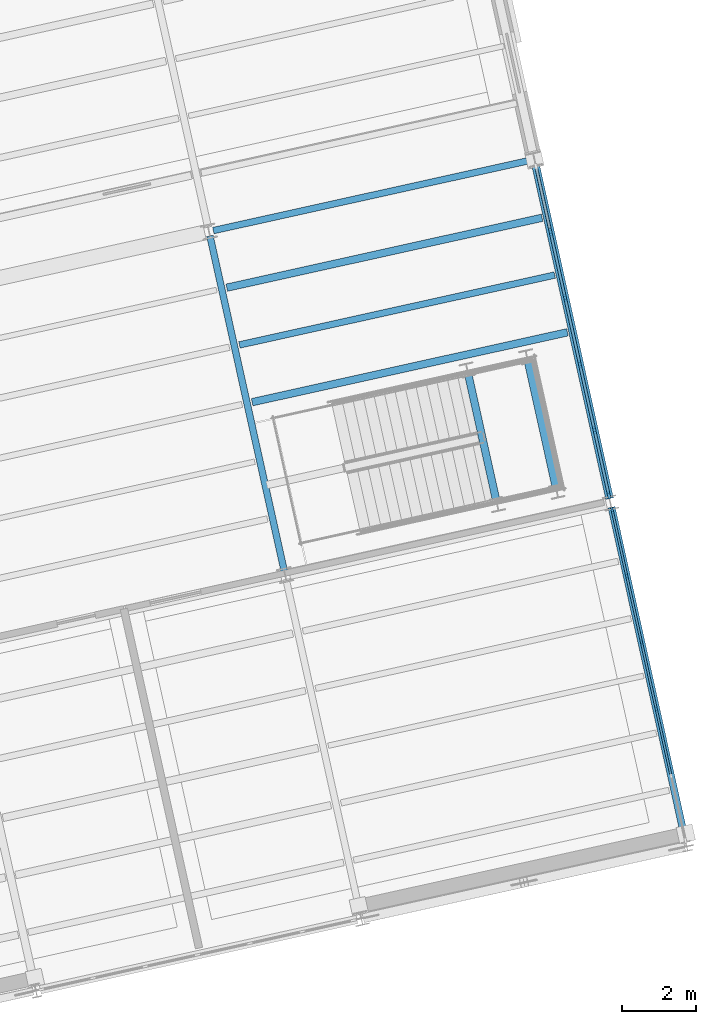
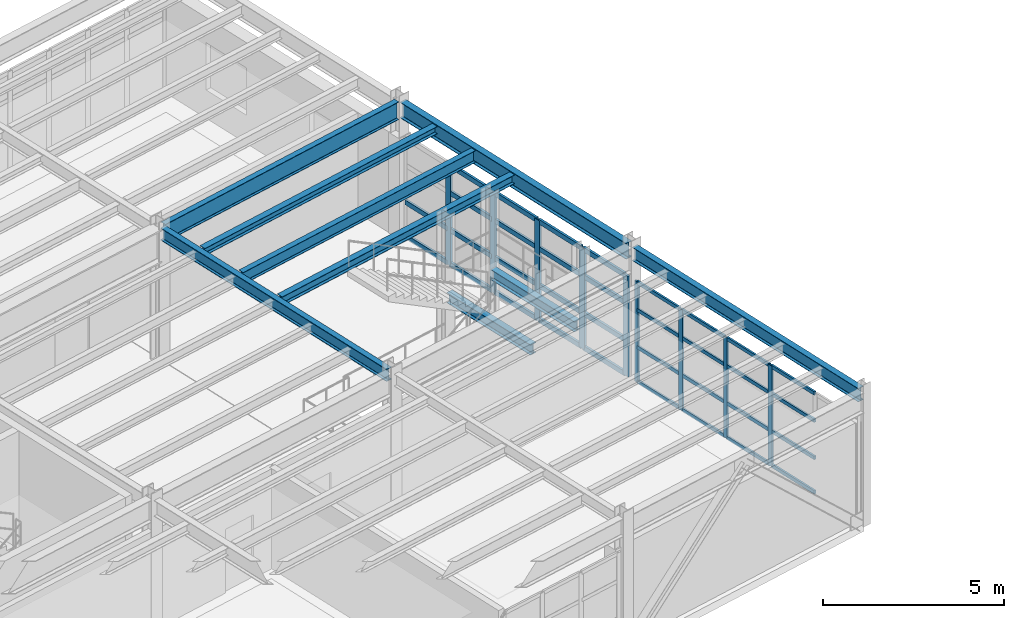
# One storey, part 61 of 109: 43 members, 9 beams, 2 elements without a shape of their own.
"""IFC4 building model written with IfcOpenShell, lengths in metres."""

from ifc_helpers import new_model, si_unit, direction, frame, origin, origin_2d, place, context, subcontext, project, spatial, rectangle, i_section, extrude, material, layer, layer_set, material_profile, profile_set, type_object, element, aggregate, save


model = new_model("IFC4")

# Units and contexts
model_context = context("Model", 3, precision=1e-05, world=origin(), true_north=direction((0.0, 1.0)))
body_context = subcontext(model_context, "Body", "Model", "MODEL_VIEW")
ifc_project = project(units=[si_unit("LENGTHUNIT", "METRE"), si_unit("AREAUNIT", "SQUARE_METRE"), si_unit("VOLUMEUNIT", "CUBIC_METRE"), si_unit("PLANEANGLEUNIT", "RADIAN"), si_unit("MASSUNIT", "GRAM", prefix="KILO")], contexts=[model_context])

# Site, building, storey
site_placement = place(None, origin())
site = spatial("IfcSite", under=ifc_project, at=site_placement, CompositionType="ELEMENT")
building_placement = place(site_placement, origin())
building = spatial("IfcBuilding", under=site, at=building_placement, Name="Vireo Bluff Cable Station", CompositionType="ELEMENT")
storey_placement = place(building_placement, frame((0.0, 0.0, 4.800048828125)))
storey = spatial("IfcBuildingStorey", under=building, at=storey_placement, Name="L01", CompositionType="ELEMENT", Elevation=4.800048828125)

# Beams
ifc_material_1 = material(Name="Steel ASTM A992 Gr. 50", Category="steel")
ifc_material_profile_1 = material_profile(ifc_material_1, i_section(OverallWidth=0.2041015625, OverallDepth=0.35009765625, WebThickness=0.008544921875, FlangeThickness=0.01513671875, FilletRadius=0.010009765625, at=origin_2d()), Name="W14X48")
ifc_profile_set_1 = profile_set([ifc_material_profile_1], Name="Steel ASTM A992 Gr. 50")
beam_type_1 = type_object("IfcBeamType", Name="BM-W14X48", PredefinedType="BEAM", material=ifc_profile_set_1)
beam_1_placement = place(storey_placement, frame((155.9970703125, 91.159423828125, 2.02490234375), z_axis=(-0.216464522971, 0.976290484587, 0.0), x_axis=(-0.976290484587, -0.216464522971, 0.0)))
element("IfcBeam", 1, at=beam_1_placement, inside=storey, type_object=beam_type_1, Name="ST-09 L01 landing header beam N", PredefinedType="BEAM", context=body_context, shape_type="SweptSolid", body=[
    extrude(i_section(OverallWidth=0.2041015625, OverallDepth=0.35009765625, WebThickness=0.008544921875, FlangeThickness=0.01513671875, FilletRadius=0.010009765625, at=origin_2d()), origin(), (0.0, 0.0, 1.0), 3.43994140625),
])
beam_2_placement = place(storey_placement, frame((157.60791015625, 91.516357421875, 2.02490234375), z_axis=(-0.216381881536, 0.976308804294, 0.0), x_axis=(-0.976308804294, -0.216381881536, 0.0)))
element("IfcBeam", 2, at=beam_2_placement, inside=storey, type_object=beam_type_1, Name="ST-09 L01 landing header beam F", PredefinedType="BEAM", context=body_context, shape_type="SweptSolid", body=[
    extrude(i_section(OverallWidth=0.2041015625, OverallDepth=0.35009765625, WebThickness=0.008544921875, FlangeThickness=0.01513671875, FilletRadius=0.010009765625, at=origin_2d()), origin(), (0.0, 0.0, 1.0), 3.440185546875),
])
ifc_material_profile_2 = material_profile(ifc_material_1, i_section(OverallWidth=0.180908203125, OverallDepth=0.4169921875, WebThickness=0.010986328125, FlangeThickness=0.018310546875, FilletRadius=0.010009765625, at=origin_2d()), Name="W16X57")
ifc_profile_set_2 = profile_set([ifc_material_profile_2], Name="Steel ASTM A992 Gr. 50")
beam_type_2 = type_object("IfcBeamType", Name="BM-W16X57", PredefinedType="BEAM", material=ifc_profile_set_2)
beam_3_placement = place(storey_placement, frame((150.27783203125, 89.23583984375, 4.33154296875), z_axis=(-0.216430734067, 0.976297975698, 0.0), x_axis=(-0.976297975698, -0.216430734067, 0.0)))
element("IfcBeam", 3, at=beam_3_placement, inside=storey, type_object=beam_type_2, Name="V2 L01 beam 466", PredefinedType="BEAM", context=body_context, shape_type="SweptSolid", body=[
    extrude(i_section(OverallWidth=0.180908203125, OverallDepth=0.4169921875, WebThickness=0.010986328125, FlangeThickness=0.018310546875, FilletRadius=0.010009765625, at=origin_2d()), origin(), (0.0, 0.0, 1.0), 9.260009765625),
])

# Curtain wall, members
ifc_material_2 = material(Name="Anodized Aluminium 6063-T6", Category="aluminium")
ifc_layer_1 = layer(ifc_material_2, 0.159912109375, Name="Anodized Aluminium 6063-T6")
ifc_layer_set_1 = layer_set([ifc_layer_1], Name="Anodized Aluminium 6063-T6")
curtain_wall_type_1 = type_object("IfcCurtainWallType", Name="CW-STICK-1850", PredefinedType="USERDEFINED", material=ifc_layer_set_1)
curtain_wall_1_placement = place(storey_placement, origin())
curtain_wall_1 = element("IfcCurtainWall", 4, at=curtain_wall_1_placement, inside=storey, type_object=curtain_wall_type_1, Name="V2 L01 east curtain wall CW-049", ObjectType="STICK CURTAIN WALL", PredefinedType="USERDEFINED")
ifc_material_profile_3 = material_profile(ifc_material_2, rectangle(XDim=0.074951171875, YDim=0.2099609375, at=origin_2d()), Name="ALU-M-75X210")
ifc_profile_set_3 = profile_set([ifc_material_profile_3], Name="Anodized Aluminium 6063-T6")
member_type_1 = type_object("IfcMemberType", Name="CWM-02", PredefinedType="MULLION", material=ifc_profile_set_3)
member_1_placement = place(storey_placement, frame((157.46923828125, 98.3798828125, 0.0), z_axis=(0.0, 0.0, 1.0), x_axis=(0.976296012711, 0.21643958872, 0.0)))
member_1 = element("IfcMember", 5, at=member_1_placement, type_object=member_type_1, Name="CW-049 mullion 2", PredefinedType="MULLION", context=body_context, shape_type="SweptSolid", body=[
    extrude(rectangle(XDim=0.074951171875, YDim=0.2099609375, at=origin_2d()), origin(), (0.0, 0.0, 1.0), 3.39990234375),
])
member_2_placement = place(storey_placement, frame((157.86474609375, 96.595947265625, 0.0), z_axis=(0.0, 0.0, 1.0), x_axis=(0.976296012711, 0.21643958872, 0.0)))
member_2 = element("IfcMember", 6, at=member_2_placement, type_object=member_type_1, Name="CW-049 mullion 3", PredefinedType="MULLION", context=body_context, shape_type="SweptSolid", body=[
    extrude(rectangle(XDim=0.074951171875, YDim=0.2099609375, at=origin_2d()), origin(), (0.0, 0.0, 1.0), 3.39990234375),
])
member_3_placement = place(storey_placement, frame((158.260009765625, 94.81201171875, 0.0), z_axis=(0.0, 0.0, 1.0), x_axis=(0.976296012711, 0.21643958872, 0.0)))
member_3 = element("IfcMember", 7, at=member_3_placement, type_object=member_type_1, Name="CW-049 mullion 4", PredefinedType="MULLION", context=body_context, shape_type="SweptSolid", body=[
    extrude(rectangle(XDim=0.074951171875, YDim=0.2099609375, at=origin_2d()), origin(), (0.0, 0.0, 1.0), 3.39990234375),
])
member_4_placement = place(storey_placement, frame((158.655517578125, 93.0283203125, 0.0), z_axis=(0.0, 0.0, 1.0), x_axis=(0.976296012711, 0.21643958872, 0.0)))
member_4 = element("IfcMember", 8, at=member_4_placement, type_object=member_type_1, Name="CW-049 mullion 5", PredefinedType="MULLION", context=body_context, shape_type="SweptSolid", body=[
    extrude(rectangle(XDim=0.074951171875, YDim=0.2099609375, at=origin_2d()), origin(), (0.0, 0.0, 1.0), 3.39990234375),
])
member_5_placement = place(storey_placement, frame((159.04296875, 91.281005859375, 0.0), z_axis=(0.0, 0.0, 1.0), x_axis=(0.976296012711, 0.21643958872, 0.0)))
member_5 = element("IfcMember", 9, at=member_5_placement, type_object=member_type_1, Name="CW-049 mullion 6", PredefinedType="MULLION", context=body_context, shape_type="SweptSolid", body=[
    extrude(rectangle(XDim=0.074951171875, YDim=0.2099609375, at=origin_2d()), origin(), (0.0, 0.0, 1.0), 3.39990234375),
])

ifc_layer_2 = layer(ifc_material_2, 0.159912109375, Name="Anodized Aluminium 6063-T6")
ifc_layer_set_2 = layer_set([ifc_layer_2], Name="Anodized Aluminium 6063-T6")
curtain_wall_type_2 = type_object("IfcCurtainWallType", Name="CW-STICK-1750", PredefinedType="USERDEFINED", material=ifc_layer_set_2)
curtain_wall_2_placement = place(storey_placement, origin())
curtain_wall_2 = element("IfcCurtainWall", 10, at=curtain_wall_2_placement, inside=storey, type_object=curtain_wall_type_2, Name="V2 L01 east curtain wall CW-050", ObjectType="STICK CURTAIN WALL", PredefinedType="USERDEFINED")
ifc_material_profile_4 = material_profile(ifc_material_2, rectangle(XDim=0.06005859375, YDim=0.159912109375, at=origin_2d()), Name="ALU-M-60X160")
ifc_profile_set_4 = profile_set([ifc_material_profile_4], Name="Anodized Aluminium 6063-T6")
member_type_2 = type_object("IfcMemberType", Name="CWM-03", PredefinedType="MULLION", material=ifc_profile_set_4)
member_6_placement = place(storey_placement, frame((159.136474609375, 90.859619140625, 0.0), z_axis=(0.0, 0.0, 1.0), x_axis=(0.97629600746, 0.216439612405, 0.0)))
member_6 = element("IfcMember", 11, at=member_6_placement, type_object=member_type_2, Name="CW-050 mullion 1", PredefinedType="MULLION", context=body_context, shape_type="SweptSolid", body=[
    extrude(rectangle(XDim=0.06005859375, YDim=0.159912109375, at=origin_2d()), origin(), (0.0, 0.0, 1.0), 3.39990234375),
])
member_7_placement = place(storey_placement, frame((159.527587890625, 89.094970703125, 0.0), z_axis=(0.0, 0.0, 1.0), x_axis=(0.97629600746, 0.216439612405, 0.0)))
member_7 = element("IfcMember", 12, at=member_7_placement, type_object=member_type_2, Name="CW-050 mullion 2", PredefinedType="MULLION", context=body_context, shape_type="SweptSolid", body=[
    extrude(rectangle(XDim=0.06005859375, YDim=0.159912109375, at=origin_2d()), origin(), (0.0, 0.0, 1.0), 3.39990234375),
])
member_8_placement = place(storey_placement, frame((159.92529296875, 87.30078125, 0.0), z_axis=(0.0, 0.0, 1.0), x_axis=(0.97629600746, 0.216439612405, 0.0)))
member_8 = element("IfcMember", 13, at=member_8_placement, type_object=member_type_2, Name="CW-050 mullion 3", PredefinedType="MULLION", context=body_context, shape_type="SweptSolid", body=[
    extrude(rectangle(XDim=0.06005859375, YDim=0.159912109375, at=origin_2d()), origin(), (0.0, 0.0, 1.0), 3.39990234375),
])
member_9_placement = place(storey_placement, frame((160.322998046875, 85.5068359375, 0.0), z_axis=(0.0, 0.0, 1.0), x_axis=(0.97629600746, 0.216439612405, 0.0)))
member_9 = element("IfcMember", 14, at=member_9_placement, type_object=member_type_2, Name="CW-050 mullion 4", PredefinedType="MULLION", context=body_context, shape_type="SweptSolid", body=[
    extrude(rectangle(XDim=0.06005859375, YDim=0.159912109375, at=origin_2d()), origin(), (0.0, 0.0, 1.0), 3.39990234375),
])

# Member
ifc_material_profile_5 = material_profile(ifc_material_2, rectangle(XDim=0.074951171875, YDim=0.159912109375, at=origin_2d()), Name="ALU-T-75X160")
ifc_profile_set_5 = profile_set([ifc_material_profile_5], Name="Anodized Aluminium 6063-T6")
member_type_3 = type_object("IfcMemberType", Name="CWT-02", PredefinedType="USERDEFINED", material=ifc_profile_set_5)
member_10_placement = place(storey_placement, frame((157.08984375, 100.090576171875, 0.037353515625), z_axis=(0.216417859301, -0.976300829753, 0.0), x_axis=(0.976300829753, 0.216417859301, 0.0)))
member_10 = element("IfcMember", 15, at=member_10_placement, type_object=member_type_3, Name="CW-049 transom 1.1", ObjectType="TRANSOM", PredefinedType="USERDEFINED", context=body_context, shape_type="SweptSolid", body=[
    extrude(rectangle(XDim=0.074951171875, YDim=0.159912109375, at=origin_2d()), origin(), (0.0, 0.0, 1.0), 1.714599609375),
])

member_11_placement = place(storey_placement, frame((157.08984375, 100.090576171875, 1.18994140625), z_axis=(0.216417859301, -0.976300829753, 0.0), x_axis=(0.976300829753, 0.216417859301, 0.0)))
member_11 = element("IfcMember", 16, at=member_11_placement, type_object=member_type_3, Name="CW-049 transom 1.2", ObjectType="TRANSOM", PredefinedType="USERDEFINED", context=body_context, shape_type="SweptSolid", body=[
    extrude(rectangle(XDim=0.074951171875, YDim=0.159912109375, at=origin_2d()), origin(), (0.0, 0.0, 1.0), 1.714599609375),
])

member_12_placement = place(storey_placement, frame((157.477294921875, 98.34326171875, 0.037353515625), z_axis=(0.216384565336, -0.976308209473, 0.0), x_axis=(0.976308209473, 0.216384565336, 0.0)))
member_12 = element("IfcMember", 17, at=member_12_placement, type_object=member_type_3, Name="CW-049 transom 2.1", ObjectType="TRANSOM", PredefinedType="USERDEFINED", context=body_context, shape_type="SweptSolid", body=[
    extrude(rectangle(XDim=0.074951171875, YDim=0.159912109375, at=origin_2d()), origin(), (0.0, 0.0, 1.0), 1.752197265625),
])

member_13_placement = place(storey_placement, frame((157.477294921875, 98.34326171875, 1.18994140625), z_axis=(0.216384565336, -0.976308209473, 0.0), x_axis=(0.976308209473, 0.216384565336, 0.0)))
member_13 = element("IfcMember", 18, at=member_13_placement, type_object=member_type_3, Name="CW-049 transom 2.2", ObjectType="TRANSOM", PredefinedType="USERDEFINED", context=body_context, shape_type="SweptSolid", body=[
    extrude(rectangle(XDim=0.074951171875, YDim=0.159912109375, at=origin_2d()), origin(), (0.0, 0.0, 1.0), 1.752197265625),
])

member_14_placement = place(storey_placement, frame((157.477294921875, 98.34326171875, 2.447998046875), z_axis=(0.216384565336, -0.976308209473, 0.0), x_axis=(0.976308209473, 0.216384565336, 0.0)))
member_14 = element("IfcMember", 19, at=member_14_placement, type_object=member_type_3, Name="CW-049 transom 2.3", ObjectType="TRANSOM", PredefinedType="USERDEFINED", context=body_context, shape_type="SweptSolid", body=[
    extrude(rectangle(XDim=0.074951171875, YDim=0.159912109375, at=origin_2d()), origin(), (0.0, 0.0, 1.0), 1.752197265625),
])

member_15_placement = place(storey_placement, frame((157.477294921875, 98.34326171875, 3.362548828125), z_axis=(0.216384565336, -0.976308209473, 0.0), x_axis=(0.976308209473, 0.216384565336, 0.0)))
member_15 = element("IfcMember", 20, at=member_15_placement, type_object=member_type_3, Name="CW-049 transom 2.4", ObjectType="TRANSOM", PredefinedType="USERDEFINED", context=body_context, shape_type="SweptSolid", body=[
    extrude(rectangle(XDim=0.074951171875, YDim=0.159912109375, at=origin_2d()), origin(), (0.0, 0.0, 1.0), 1.752197265625),
])

member_16_placement = place(storey_placement, frame((157.872802734375, 96.559326171875, 0.037353515625), z_axis=(0.216384565336, -0.976308209473, 0.0), x_axis=(0.976308209473, 0.216384565336, 0.0)))
member_16 = element("IfcMember", 21, at=member_16_placement, type_object=member_type_3, Name="CW-049 transom 3.1", ObjectType="TRANSOM", PredefinedType="USERDEFINED", context=body_context, shape_type="SweptSolid", body=[
    extrude(rectangle(XDim=0.074951171875, YDim=0.159912109375, at=origin_2d()), origin(), (0.0, 0.0, 1.0), 1.752197265625),
])

member_17_placement = place(storey_placement, frame((157.872802734375, 96.559326171875, 1.18994140625), z_axis=(0.216384565336, -0.976308209473, 0.0), x_axis=(0.976308209473, 0.216384565336, 0.0)))
member_17 = element("IfcMember", 22, at=member_17_placement, type_object=member_type_3, Name="CW-049 transom 3.2", ObjectType="TRANSOM", PredefinedType="USERDEFINED", context=body_context, shape_type="SweptSolid", body=[
    extrude(rectangle(XDim=0.074951171875, YDim=0.159912109375, at=origin_2d()), origin(), (0.0, 0.0, 1.0), 1.752197265625),
])

member_18_placement = place(storey_placement, frame((157.872802734375, 96.559326171875, 2.447998046875), z_axis=(0.216384565336, -0.976308209473, 0.0), x_axis=(0.976308209473, 0.216384565336, 0.0)))
member_18 = element("IfcMember", 23, at=member_18_placement, type_object=member_type_3, Name="CW-049 transom 3.3", ObjectType="TRANSOM", PredefinedType="USERDEFINED", context=body_context, shape_type="SweptSolid", body=[
    extrude(rectangle(XDim=0.074951171875, YDim=0.159912109375, at=origin_2d()), origin(), (0.0, 0.0, 1.0), 1.752197265625),
])

member_19_placement = place(storey_placement, frame((157.872802734375, 96.559326171875, 3.362548828125), z_axis=(0.216384565336, -0.976308209473, 0.0), x_axis=(0.976308209473, 0.216384565336, 0.0)))
member_19 = element("IfcMember", 24, at=member_19_placement, type_object=member_type_3, Name="CW-049 transom 3.4", ObjectType="TRANSOM", PredefinedType="USERDEFINED", context=body_context, shape_type="SweptSolid", body=[
    extrude(rectangle(XDim=0.074951171875, YDim=0.159912109375, at=origin_2d()), origin(), (0.0, 0.0, 1.0), 1.752197265625),
])

member_20_placement = place(storey_placement, frame((158.268310546875, 94.775390625, 0.037353515625), z_axis=(0.216414004514, -0.97630168424, 0.0), x_axis=(0.97630168424, 0.216414004514, 0.0)))
member_20 = element("IfcMember", 25, at=member_20_placement, type_object=member_type_3, Name="CW-049 transom 4.1", ObjectType="TRANSOM", PredefinedType="USERDEFINED", context=body_context, shape_type="SweptSolid", body=[
    extrude(rectangle(XDim=0.074951171875, YDim=0.159912109375, at=origin_2d()), origin(), (0.0, 0.0, 1.0), 1.751953125),
])

member_21_placement = place(storey_placement, frame((158.268310546875, 94.775390625, 1.18994140625), z_axis=(0.216414004514, -0.97630168424, 0.0), x_axis=(0.97630168424, 0.216414004514, 0.0)))
member_21 = element("IfcMember", 26, at=member_21_placement, type_object=member_type_3, Name="CW-049 transom 4.2", ObjectType="TRANSOM", PredefinedType="USERDEFINED", context=body_context, shape_type="SweptSolid", body=[
    extrude(rectangle(XDim=0.074951171875, YDim=0.159912109375, at=origin_2d()), origin(), (0.0, 0.0, 1.0), 1.751953125),
])

member_22_placement = place(storey_placement, frame((158.268310546875, 94.775390625, 2.447998046875), z_axis=(0.216414004514, -0.97630168424, 0.0), x_axis=(0.97630168424, 0.216414004514, 0.0)))
member_22 = element("IfcMember", 27, at=member_22_placement, type_object=member_type_3, Name="CW-049 transom 4.3", ObjectType="TRANSOM", PredefinedType="USERDEFINED", context=body_context, shape_type="SweptSolid", body=[
    extrude(rectangle(XDim=0.074951171875, YDim=0.159912109375, at=origin_2d()), origin(), (0.0, 0.0, 1.0), 1.751953125),
])

member_23_placement = place(storey_placement, frame((158.268310546875, 94.775390625, 3.362548828125), z_axis=(0.216414004514, -0.97630168424, 0.0), x_axis=(0.97630168424, 0.216414004514, 0.0)))
member_23 = element("IfcMember", 28, at=member_23_placement, type_object=member_type_3, Name="CW-049 transom 4.4", ObjectType="TRANSOM", PredefinedType="USERDEFINED", context=body_context, shape_type="SweptSolid", body=[
    extrude(rectangle(XDim=0.074951171875, YDim=0.159912109375, at=origin_2d()), origin(), (0.0, 0.0, 1.0), 1.751953125),
])

member_24_placement = place(storey_placement, frame((158.663818359375, 92.99169921875, 0.037353515625), z_axis=(0.216417859301, -0.976300829753, 0.0), x_axis=(0.976300829753, 0.216417859301, 0.0)))
member_24 = element("IfcMember", 29, at=member_24_placement, type_object=member_type_3, Name="CW-049 transom 5.1", ObjectType="TRANSOM", PredefinedType="USERDEFINED", context=body_context, shape_type="SweptSolid", body=[
    extrude(rectangle(XDim=0.074951171875, YDim=0.159912109375, at=origin_2d()), origin(), (0.0, 0.0, 1.0), 1.714599609375),
])

member_25_placement = place(storey_placement, frame((158.663818359375, 92.99169921875, 1.18994140625), z_axis=(0.216417859301, -0.976300829753, 0.0), x_axis=(0.976300829753, 0.216417859301, 0.0)))
member_25 = element("IfcMember", 30, at=member_25_placement, type_object=member_type_3, Name="CW-049 transom 5.2", ObjectType="TRANSOM", PredefinedType="USERDEFINED", context=body_context, shape_type="SweptSolid", body=[
    extrude(rectangle(XDim=0.074951171875, YDim=0.159912109375, at=origin_2d()), origin(), (0.0, 0.0, 1.0), 1.714599609375),
])

member_26_placement = place(storey_placement, frame((158.663818359375, 92.99169921875, 2.447998046875), z_axis=(0.216417859301, -0.976300829753, 0.0), x_axis=(0.976300829753, 0.216417859301, 0.0)))
member_26 = element("IfcMember", 31, at=member_26_placement, type_object=member_type_3, Name="CW-049 transom 5.3", ObjectType="TRANSOM", PredefinedType="USERDEFINED", context=body_context, shape_type="SweptSolid", body=[
    extrude(rectangle(XDim=0.074951171875, YDim=0.159912109375, at=origin_2d()), origin(), (0.0, 0.0, 1.0), 1.714599609375),
])

member_27_placement = place(storey_placement, frame((158.663818359375, 92.99169921875, 3.362548828125), z_axis=(0.216417859301, -0.976300829753, 0.0), x_axis=(0.976300829753, 0.216417859301, 0.0)))
member_27 = element("IfcMember", 32, at=member_27_placement, type_object=member_type_3, Name="CW-049 transom 5.4", ObjectType="TRANSOM", PredefinedType="USERDEFINED", context=body_context, shape_type="SweptSolid", body=[
    extrude(rectangle(XDim=0.074951171875, YDim=0.159912109375, at=origin_2d()), origin(), (0.0, 0.0, 1.0), 1.714599609375),
])

aggregate(curtain_wall_1, [member_1, member_2, member_3, member_4, member_5, member_10, member_11, member_12, member_13, member_14, member_15, member_16, member_17, member_18, member_19, member_20, member_21, member_22, member_23, member_24, member_25, member_26, member_27])

ifc_material_profile_6 = material_profile(ifc_material_2, rectangle(XDim=0.06005859375, YDim=0.1201171875, at=origin_2d()), Name="ALU-T-60X120")
ifc_profile_set_6 = profile_set([ifc_material_profile_6], Name="Anodized Aluminium 6063-T6")
member_type_4 = type_object("IfcMemberType", Name="CWT-03", PredefinedType="USERDEFINED", material=ifc_profile_set_6)
member_28_placement = place(storey_placement, frame((159.142822265625, 90.830322265625, 0.030029296875), z_axis=(0.216412673976, -0.976301979176, 0.0), x_axis=(0.976301979176, 0.216412673976, 0.0)))
member_28 = element("IfcMember", 33, at=member_28_placement, type_object=member_type_4, Name="CW-050 transom 1.1", ObjectType="TRANSOM", PredefinedType="USERDEFINED", context=body_context, shape_type="SweptSolid", body=[
    extrude(rectangle(XDim=0.06005859375, YDim=0.1201171875, at=origin_2d()), origin(), (0.0, 0.0, 1.0), 1.74755859375),
])

member_29_placement = place(storey_placement, frame((159.142822265625, 90.830322265625, 1.18994140625), z_axis=(0.216412673976, -0.976301979176, 0.0), x_axis=(0.976301979176, 0.216412673976, 0.0)))
member_29 = element("IfcMember", 34, at=member_29_placement, type_object=member_type_4, Name="CW-050 transom 1.2", ObjectType="TRANSOM", PredefinedType="USERDEFINED", context=body_context, shape_type="SweptSolid", body=[
    extrude(rectangle(XDim=0.06005859375, YDim=0.1201171875, at=origin_2d()), origin(), (0.0, 0.0, 1.0), 1.74755859375),
])

member_30_placement = place(storey_placement, frame((159.142822265625, 90.830322265625, 2.447998046875), z_axis=(0.216412673976, -0.976301979176, 0.0), x_axis=(0.976301979176, 0.216412673976, 0.0)))
member_30 = element("IfcMember", 35, at=member_30_placement, type_object=member_type_4, Name="CW-050 transom 1.3", ObjectType="TRANSOM", PredefinedType="USERDEFINED", context=body_context, shape_type="SweptSolid", body=[
    extrude(rectangle(XDim=0.06005859375, YDim=0.1201171875, at=origin_2d()), origin(), (0.0, 0.0, 1.0), 1.74755859375),
])

member_31_placement = place(storey_placement, frame((159.142822265625, 90.830322265625, 3.369873046875), z_axis=(0.216412673976, -0.976301979176, 0.0), x_axis=(0.976301979176, 0.216412673976, 0.0)))
member_31 = element("IfcMember", 36, at=member_31_placement, type_object=member_type_4, Name="CW-050 transom 1.4", ObjectType="TRANSOM", PredefinedType="USERDEFINED", context=body_context, shape_type="SweptSolid", body=[
    extrude(rectangle(XDim=0.06005859375, YDim=0.1201171875, at=origin_2d()), origin(), (0.0, 0.0, 1.0), 1.74755859375),
])

member_32_placement = place(storey_placement, frame((159.5341796875, 89.065673828125, 0.030029296875), z_axis=(0.216436032968, -0.976296800995, 0.0), x_axis=(0.976296800995, 0.216436032968, 0.0)))
member_32 = element("IfcMember", 37, at=member_32_placement, type_object=member_type_4, Name="CW-050 transom 2.1", ObjectType="TRANSOM", PredefinedType="USERDEFINED", context=body_context, shape_type="SweptSolid", body=[
    extrude(rectangle(XDim=0.06005859375, YDim=0.1201171875, at=origin_2d()), origin(), (0.0, 0.0, 1.0), 1.77783203125),
])

member_33_placement = place(storey_placement, frame((159.5341796875, 89.065673828125, 1.18994140625), z_axis=(0.216436032968, -0.976296800995, 0.0), x_axis=(0.976296800995, 0.216436032968, 0.0)))
member_33 = element("IfcMember", 38, at=member_33_placement, type_object=member_type_4, Name="CW-050 transom 2.2", ObjectType="TRANSOM", PredefinedType="USERDEFINED", context=body_context, shape_type="SweptSolid", body=[
    extrude(rectangle(XDim=0.06005859375, YDim=0.1201171875, at=origin_2d()), origin(), (0.0, 0.0, 1.0), 1.77783203125),
])

member_34_placement = place(storey_placement, frame((159.5341796875, 89.065673828125, 2.447998046875), z_axis=(0.216436032968, -0.976296800995, 0.0), x_axis=(0.976296800995, 0.216436032968, 0.0)))
member_34 = element("IfcMember", 39, at=member_34_placement, type_object=member_type_4, Name="CW-050 transom 2.3", ObjectType="TRANSOM", PredefinedType="USERDEFINED", context=body_context, shape_type="SweptSolid", body=[
    extrude(rectangle(XDim=0.06005859375, YDim=0.1201171875, at=origin_2d()), origin(), (0.0, 0.0, 1.0), 1.77783203125),
])

member_35_placement = place(storey_placement, frame((159.5341796875, 89.065673828125, 3.369873046875), z_axis=(0.216436032968, -0.976296800995, 0.0), x_axis=(0.976296800995, 0.216436032968, 0.0)))
member_35 = element("IfcMember", 40, at=member_35_placement, type_object=member_type_4, Name="CW-050 transom 2.4", ObjectType="TRANSOM", PredefinedType="USERDEFINED", context=body_context, shape_type="SweptSolid", body=[
    extrude(rectangle(XDim=0.06005859375, YDim=0.1201171875, at=origin_2d()), origin(), (0.0, 0.0, 1.0), 1.77783203125),
])

member_36_placement = place(storey_placement, frame((159.931884765625, 87.271484375, 0.030029296875), z_axis=(0.21646505592, -0.976290366421, 0.0), x_axis=(0.976290366421, 0.21646505592, 0.0)))
member_36 = element("IfcMember", 41, at=member_36_placement, type_object=member_type_4, Name="CW-050 transom 3.1", ObjectType="TRANSOM", PredefinedType="USERDEFINED", context=body_context, shape_type="SweptSolid", body=[
    extrude(rectangle(XDim=0.06005859375, YDim=0.1201171875, at=origin_2d()), origin(), (0.0, 0.0, 1.0), 1.777587890625),
])

member_37_placement = place(storey_placement, frame((159.931884765625, 87.271484375, 1.18994140625), z_axis=(0.21646505592, -0.976290366421, 0.0), x_axis=(0.976290366421, 0.21646505592, 0.0)))
member_37 = element("IfcMember", 42, at=member_37_placement, type_object=member_type_4, Name="CW-050 transom 3.2", ObjectType="TRANSOM", PredefinedType="USERDEFINED", context=body_context, shape_type="SweptSolid", body=[
    extrude(rectangle(XDim=0.06005859375, YDim=0.1201171875, at=origin_2d()), origin(), (0.0, 0.0, 1.0), 1.777587890625),
])

member_38_placement = place(storey_placement, frame((159.931884765625, 87.271484375, 2.447998046875), z_axis=(0.21646505592, -0.976290366421, 0.0), x_axis=(0.976290366421, 0.21646505592, 0.0)))
member_38 = element("IfcMember", 43, at=member_38_placement, type_object=member_type_4, Name="CW-050 transom 3.3", ObjectType="TRANSOM", PredefinedType="USERDEFINED", context=body_context, shape_type="SweptSolid", body=[
    extrude(rectangle(XDim=0.06005859375, YDim=0.1201171875, at=origin_2d()), origin(), (0.0, 0.0, 1.0), 1.777587890625),
])

member_39_placement = place(storey_placement, frame((159.931884765625, 87.271484375, 3.369873046875), z_axis=(0.21646505592, -0.976290366421, 0.0), x_axis=(0.976290366421, 0.21646505592, 0.0)))
member_39 = element("IfcMember", 44, at=member_39_placement, type_object=member_type_4, Name="CW-050 transom 3.4", ObjectType="TRANSOM", PredefinedType="USERDEFINED", context=body_context, shape_type="SweptSolid", body=[
    extrude(rectangle(XDim=0.06005859375, YDim=0.1201171875, at=origin_2d()), origin(), (0.0, 0.0, 1.0), 1.777587890625),
])

member_40_placement = place(storey_placement, frame((160.32958984375, 85.4775390625, 0.030029296875), z_axis=(0.21646505592, -0.976290366421, 0.0), x_axis=(0.976290366421, 0.21646505592, 0.0)))
member_40 = element("IfcMember", 45, at=member_40_placement, type_object=member_type_4, Name="CW-050 transom 4.1", ObjectType="TRANSOM", PredefinedType="USERDEFINED", context=body_context, shape_type="SweptSolid", body=[
    extrude(rectangle(XDim=0.06005859375, YDim=0.1201171875, at=origin_2d()), origin(), (0.0, 0.0, 1.0), 1.777587890625),
])

member_41_placement = place(storey_placement, frame((160.32958984375, 85.4775390625, 1.18994140625), z_axis=(0.21646505592, -0.976290366421, 0.0), x_axis=(0.976290366421, 0.21646505592, 0.0)))
member_41 = element("IfcMember", 46, at=member_41_placement, type_object=member_type_4, Name="CW-050 transom 4.2", ObjectType="TRANSOM", PredefinedType="USERDEFINED", context=body_context, shape_type="SweptSolid", body=[
    extrude(rectangle(XDim=0.06005859375, YDim=0.1201171875, at=origin_2d()), origin(), (0.0, 0.0, 1.0), 1.777587890625),
])

member_42_placement = place(storey_placement, frame((160.32958984375, 85.4775390625, 2.447998046875), z_axis=(0.21646505592, -0.976290366421, 0.0), x_axis=(0.976290366421, 0.21646505592, 0.0)))
member_42 = element("IfcMember", 47, at=member_42_placement, type_object=member_type_4, Name="CW-050 transom 4.3", ObjectType="TRANSOM", PredefinedType="USERDEFINED", context=body_context, shape_type="SweptSolid", body=[
    extrude(rectangle(XDim=0.06005859375, YDim=0.1201171875, at=origin_2d()), origin(), (0.0, 0.0, 1.0), 1.777587890625),
])

member_43_placement = place(storey_placement, frame((160.32958984375, 85.4775390625, 3.369873046875), z_axis=(0.21646505592, -0.976290366421, 0.0), x_axis=(0.976290366421, 0.21646505592, 0.0)))
member_43 = element("IfcMember", 48, at=member_43_placement, type_object=member_type_4, Name="CW-050 transom 4.4", ObjectType="TRANSOM", PredefinedType="USERDEFINED", context=body_context, shape_type="SweptSolid", body=[
    extrude(rectangle(XDim=0.06005859375, YDim=0.1201171875, at=origin_2d()), origin(), (0.0, 0.0, 1.0), 1.777587890625),
])

aggregate(curtain_wall_2, [member_6, member_7, member_8, member_9, member_28, member_29, member_30, member_31, member_32, member_33, member_34, member_35, member_36, member_37, member_38, member_39, member_40, member_41, member_42, member_43])

# Beams
ifc_material_profile_7 = material_profile(ifc_material_1, i_section(OverallWidth=0.178955078125, OverallDepth=0.60302734375, WebThickness=0.010986328125, FlangeThickness=0.014892578125, FilletRadius=0.012939453125, at=origin_2d()), Name="W24X62")
ifc_profile_set_7 = profile_set([ifc_material_profile_7], Name="Steel ASTM A992 Gr. 50")
beam_type_3 = type_object("IfcBeamType", Name="GIR-W24X62", PredefinedType="USERDEFINED", material=ifc_profile_set_7)
beam_4_placement = place(storey_placement, frame((148.36474609375, 98.41943359375, 4.238525390625), z_axis=(0.97629710087, 0.216434680293, 0.0), x_axis=(-0.216434680293, 0.97629710087, 0.0)))
element("IfcBeam", 49, at=beam_4_placement, inside=storey, type_object=beam_type_3, Name="V2 L01 girder 451", ObjectType="GIRDER", PredefinedType="USERDEFINED", context=body_context, shape_type="SweptSolid", body=[
    extrude(i_section(OverallWidth=0.178955078125, OverallDepth=0.60302734375, WebThickness=0.010986328125, FlangeThickness=0.014892578125, FilletRadius=0.012939453125, at=origin_2d()), origin(), (0.0, 0.0, 1.0), 8.760009765625),
])
ifc_material_profile_8 = material_profile(ifc_material_1, i_section(OverallWidth=0.201904296875, OverallDepth=0.2470703125, WebThickness=0.00732421875, FlangeThickness=0.010986328125, FilletRadius=0.009033203125, at=origin_2d()), Name="W10X33")
ifc_profile_set_8 = profile_set([ifc_material_profile_8], Name="Steel ASTM A992 Gr. 50")
beam_type_4 = type_object("IfcBeamType", Name="JST-W10X33", PredefinedType="JOIST", material=ifc_profile_set_8)
beam_5_placement = place(storey_placement, frame((148.72705078125, 96.8779296875, 4.41650390625), z_axis=(0.976293006815, 0.216453146994, 0.0), x_axis=(-0.216453146994, 0.976293006815, 0.0)))
element("IfcBeam", 50, at=beam_5_placement, inside=storey, type_object=beam_type_4, Name="V2 L01 composite joist 518", PredefinedType="JOIST", context=body_context, shape_type="SweptSolid", body=[
    extrude(i_section(OverallWidth=0.201904296875, OverallDepth=0.2470703125, WebThickness=0.00732421875, FlangeThickness=0.010986328125, FilletRadius=0.009033203125, at=origin_2d()), origin(), (0.0, 0.0, 1.0), 8.719970703125),
])
ifc_material_profile_9 = material_profile(ifc_material_1, i_section(OverallWidth=0.202880859375, OverallDepth=0.302978515625, WebThickness=0.007568359375, FlangeThickness=0.01318359375, FilletRadius=0.010009765625, at=origin_2d()), Name="W12X40")
ifc_profile_set_9 = profile_set([ifc_material_profile_9], Name="Steel ASTM A992 Gr. 50")
beam_type_5 = type_object("IfcBeamType", Name="JST-W12X40", PredefinedType="JOIST", material=ifc_profile_set_9)
beam_6_placement = place(storey_placement, frame((149.412353515625, 93.786376953125, 4.388427734375), z_axis=(0.976294318526, 0.216447230551, 0.0), x_axis=(-0.216447230551, 0.976294318526, 0.0)))
element("IfcBeam", 51, at=beam_6_placement, inside=storey, type_object=beam_type_5, Name="V2 L01 composite joist 516", PredefinedType="JOIST", context=body_context, shape_type="SweptSolid", body=[
    extrude(i_section(OverallWidth=0.202880859375, OverallDepth=0.302978515625, WebThickness=0.007568359375, FlangeThickness=0.01318359375, FilletRadius=0.010009765625, at=origin_2d()), origin(), (0.0, 0.0, 1.0), 8.72021484375),
])
ifc_material_profile_10 = material_profile(ifc_material_1, i_section(OverallWidth=0.177978515625, OverallDepth=0.404052734375, WebThickness=0.007568359375, FlangeThickness=0.010986328125, FilletRadius=0.010009765625, at=origin_2d()), Name="W16X36")
ifc_profile_set_10 = profile_set([ifc_material_profile_10], Name="Steel ASTM A992 Gr. 50")
beam_type_6 = type_object("IfcBeamType", Name="JST-W16X36", PredefinedType="JOIST", material=ifc_profile_set_10)
beam_7_placement = place(storey_placement, frame((149.06982421875, 95.332275390625, 4.337890625), z_axis=(0.976298923088, 0.216426460438, 0.0), x_axis=(-0.216426460438, 0.976298923088, 0.0)))
element("IfcBeam", 52, at=beam_7_placement, inside=storey, type_object=beam_type_6, Name="V2 L01 composite joist 517", PredefinedType="JOIST", context=body_context, shape_type="SweptSolid", body=[
    extrude(i_section(OverallWidth=0.177978515625, OverallDepth=0.404052734375, WebThickness=0.007568359375, FlangeThickness=0.010986328125, FilletRadius=0.010009765625, at=origin_2d()), origin(), (0.0, 0.0, 1.0), 8.719970703125),
])
ifc_material_profile_11 = material_profile(ifc_material_1, i_section(OverallWidth=0.19091796875, OverallDepth=0.45703125, WebThickness=0.009033203125, FlangeThickness=0.014404296875, FilletRadius=0.011962890625, at=origin_2d()), Name="W18X50")
ifc_profile_set_11 = profile_set([ifc_material_profile_11], Name="Steel ASTM A992 Gr. 50")
beam_type_7 = type_object("IfcBeamType", Name="SPN-W18X50", PredefinedType="SPANDREL", material=ifc_profile_set_11)
beam_8_placement = place(storey_placement, frame((161.12060546875, 81.908935546875, 4.3115234375), z_axis=(-0.216430734067, 0.976297975698, 0.0), x_axis=(-0.976297975698, -0.216430734067, 0.0)))
element("IfcBeam", 53, at=beam_8_placement, inside=storey, type_object=beam_type_7, Name="V2 L01 spandrel 468", PredefinedType="SPANDREL", context=body_context, shape_type="SweptSolid", body=[
    extrude(i_section(OverallWidth=0.19091796875, OverallDepth=0.45703125, WebThickness=0.009033203125, FlangeThickness=0.014404296875, FilletRadius=0.011962890625, at=origin_2d()), origin(), (0.0, 0.0, 1.0), 9.260009765625),
])
ifc_material_profile_12 = material_profile(ifc_material_1, i_section(OverallWidth=0.2099609375, OverallDepth=0.535888671875, WebThickness=0.010986328125, FlangeThickness=0.017333984375, FilletRadius=0.012939453125, at=origin_2d()), Name="W21X68")
ifc_profile_set_12 = profile_set([ifc_material_profile_12], Name="Steel ASTM A992 Gr. 50")
beam_type_8 = type_object("IfcBeamType", Name="SPN-W21X68", PredefinedType="SPANDREL", material=ifc_profile_set_12)
beam_9_placement = place(storey_placement, frame((159.064453125, 91.183837890625, 4.27197265625), z_axis=(-0.216430734067, 0.976297975698, 0.0), x_axis=(-0.976297975698, -0.216430734067, 0.0)))
element("IfcBeam", 54, at=beam_9_placement, inside=storey, type_object=beam_type_8, Name="V2 L01 spandrel 469", PredefinedType="SPANDREL", context=body_context, shape_type="SweptSolid", body=[
    extrude(i_section(OverallWidth=0.2099609375, OverallDepth=0.535888671875, WebThickness=0.010986328125, FlangeThickness=0.017333984375, FilletRadius=0.012939453125, at=origin_2d()), origin(), (0.0, 0.0, 1.0), 9.260009765625),
])

save(model, "model.ifc")
